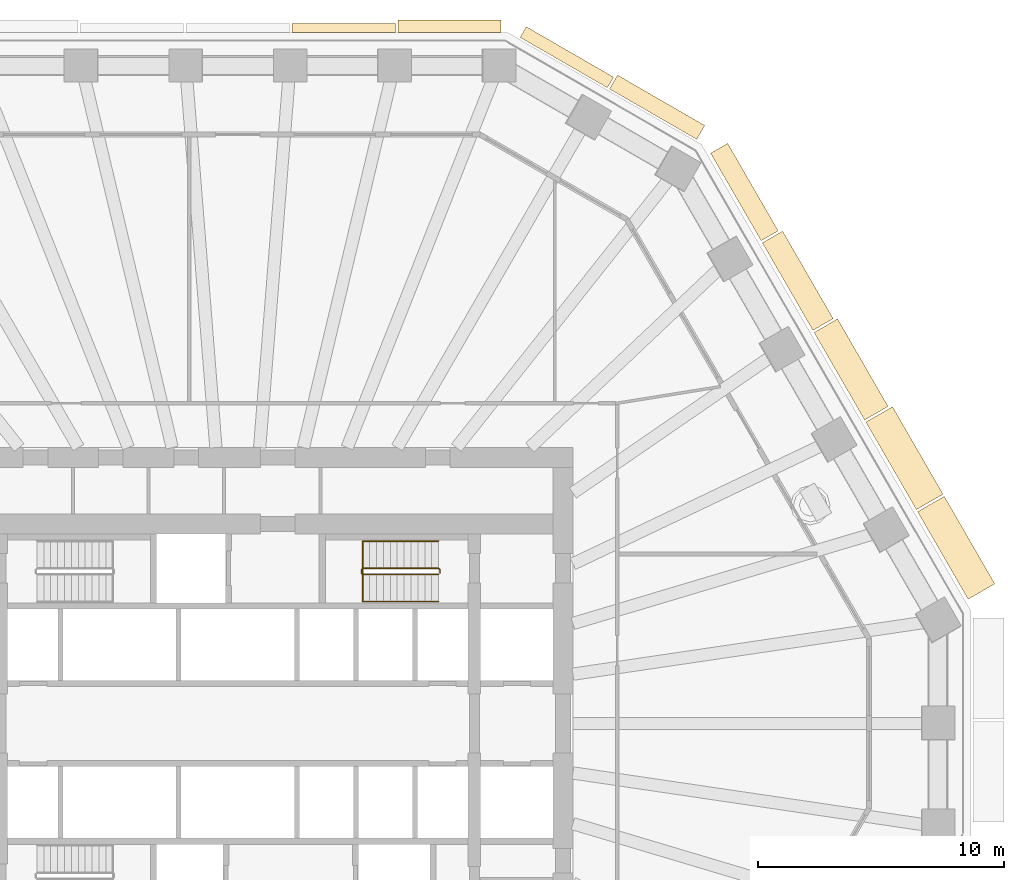
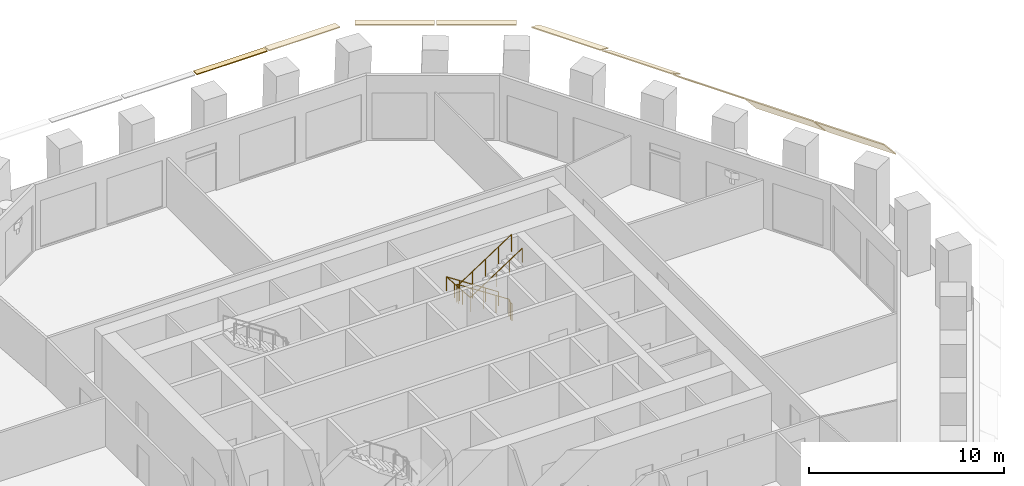
# One storey, part 10 of 12: 9 coverings, 2 railings.
"""IFC4 building model written with IfcOpenShell, lengths in metres."""

from ifc_helpers import new_model, si_unit, direction, frame, origin, origin_2d, place, context, subcontext, project, spatial, polyline, circle, outline, extrude, material, layer, layer_set, type_object, element, save


model = new_model("IFC4")

# Units and contexts
model_context = context("Model", 3, precision=1e-05, world=origin(), true_north=direction((0.0, 1.0)))
body_context = subcontext(model_context, "Body", "Model", "MODEL_VIEW")
ifc_project = project(units=[si_unit("LENGTHUNIT", "METRE"), si_unit("AREAUNIT", "SQUARE_METRE"), si_unit("VOLUMEUNIT", "CUBIC_METRE"), si_unit("PLANEANGLEUNIT", "RADIAN"), si_unit("MASSUNIT", "GRAM", prefix="KILO")], contexts=[model_context])

# Site, building, storey
site_placement = place(None, origin())
site = spatial("IfcSite", under=ifc_project, at=site_placement, CompositionType="ELEMENT")
building_placement = place(site_placement, origin())
building = spatial("IfcBuilding", under=site, at=building_placement, Name="Frailejon Research Tower", CompositionType="ELEMENT")
storey_placement = place(building_placement, frame((0.0, 0.0, 80.800048828125)))
storey = spatial("IfcBuildingStorey", under=building, at=storey_placement, Name="L17", CompositionType="ELEMENT", Elevation=80.800048828125)

# Coverings
ifc_material_1 = material(Name="Precast concrete C50/60", Category="concrete")
ifc_layer_1 = layer(ifc_material_1, 0.06005859375)
ifc_layer_set_1 = layer_set([ifc_layer_1], Name="Brim blade depth 1100")
covering_type_1 = type_object("IfcCoveringType", Name="Brim blade depth 1100", PredefinedType="CLADDING", material=ifc_layer_set_1)
covering_1_placement = place(storey_placement, frame((23.38671875, 15.869384765625, 4.25), z_axis=(0.500000690179, -0.866025005309, 0.0), x_axis=(0.866025005309, 0.500000690179, 0.0)))
element("IfcCovering", 1, at=covering_1_placement, inside=storey, type_object=covering_type_1, Name="Brim blade L17", PredefinedType="CLADDING", context=body_context, shape_type="SweptSolid", body=[
    extrude(outline(polyline([(0.0, -0.078369140625), (1.10009765625, -1.001220703125), (1.10009765625, -0.923095703125), (0.0, 0.0), (0.0, -0.078369140625)])), origin(), (0.0, 0.0, 1.0), 4.10009765625),
])
ifc_material_2 = material(Name="Precast concrete C50/60", Category="concrete")
ifc_layer_2 = layer(ifc_material_2, 0.06005859375)
ifc_layer_set_2 = layer_set([ifc_layer_2], Name="Brim blade depth 1250")
covering_type_2 = type_object("IfcCoveringType", Name="Brim blade depth 1250", PredefinedType="CLADDING", material=ifc_layer_set_2)
for number, where, z_axis, x_axis, name in (
    (2, (27.586669921875, 8.594970703125, 4.25), (0.499990381106, -0.866030957184, 0.0), (0.866030957184, 0.499990381106, 0.0), "Brim blade L17"),
    (3, (25.48681640625, 12.232177734375, 4.25), (0.500000690179, -0.866025005309, 0.0), (0.866025005309, 0.500000690179, 0.0), "Brim blade L17"),
):
    element("IfcCovering", number, at=place(storey_placement, frame(where, z_axis=z_axis, x_axis=x_axis)), inside=storey, type_object=covering_type_2, Name=name, PredefinedType="CLADDING", context=body_context, shape_type="SweptSolid", body=[
        extrude(outline(polyline([(0.0, -0.0888671875), (1.25, -1.452880859375), (1.25, -1.364013671875), (0.0, 0.0), (0.0, -0.0888671875)])), origin(), (0.0, 0.0, 1.0), 4.10009765625),
    ])
ifc_material_3 = material(Name="Precast concrete C50/60", Category="concrete")
ifc_layer_3 = layer(ifc_material_3, 0.06005859375)
ifc_layer_set_3 = layer_set([ifc_layer_3], Name="Brim blade depth 350")
covering_type_3 = type_object("IfcCoveringType", Name="Brim blade depth 350", PredefinedType="CLADDING", material=ifc_layer_set_3)
covering_2_placement = place(storey_placement, frame((2.197998046875, 28.050048828125, 4.25), z_axis=(1.0, 0.0, 0.0), x_axis=(0.0, 1.0, 0.0)))
element("IfcCovering", 4, at=covering_2_placement, inside=storey, type_object=covering_type_3, Name="Brim blade L17", PredefinedType="CLADDING", context=body_context, shape_type="SweptSolid", body=[
    extrude(outline(polyline([(0.0, -0.06005859375), (0.35009765625, -0.06005859375), (0.35009765625, 0.0), (0.0, 0.0), (0.0, -0.06005859375)])), origin(), (0.0, 0.0, 1.0), 4.19580078125),
])
ifc_material_4 = material(Name="Precast concrete C50/60", Category="concrete")
ifc_layer_4 = layer(ifc_material_4, 0.06005859375)
ifc_layer_set_4 = layer_set([ifc_layer_4], Name="Brim blade depth 500")
covering_type_4 = type_object("IfcCoveringType", Name="Brim blade depth 500", PredefinedType="CLADDING", material=ifc_layer_set_4)
covering_3_placement = place(storey_placement, frame((11.457763671875, 27.843994140625, 4.25), z_axis=(0.866027315287, -0.499996689166, 0.0), x_axis=(0.499996689166, 0.866027315287, 0.0)))
element("IfcCovering", 5, at=covering_3_placement, inside=storey, type_object=covering_type_4, Name="Brim blade L17", PredefinedType="CLADDING", context=body_context, shape_type="SweptSolid", body=[
    extrude(outline(polyline([(0.0, -0.060546875), (0.5, -0.130859375), (0.5, -0.0703125), (0.0, 0.0), (0.0, -0.060546875)])), origin(), (0.0, 0.0, 1.0), 4.087646484375),
])
covering_4_placement = place(storey_placement, frame((6.49365234375, 28.050048828125, 4.25), z_axis=(1.0, 0.0, 0.0), x_axis=(0.0, 1.0, 0.0)))
element("IfcCovering", 6, at=covering_4_placement, inside=storey, type_object=covering_type_4, Name="Brim blade L17", PredefinedType="CLADDING", context=body_context, shape_type="SweptSolid", body=[
    extrude(outline(polyline([(0.0, -0.060546875), (0.5, -0.130859375), (0.5, -0.0703125), (0.0, 0.0), (0.0, -0.060546875)])), origin(), (0.0, 0.0, 1.0), 4.19580078125),
])
ifc_material_5 = material(Name="Precast concrete C50/60", Category="concrete")
ifc_layer_5 = layer(ifc_material_5, 0.06005859375)
ifc_layer_set_5 = layer_set([ifc_layer_5], Name="Brim blade depth 650")
covering_type_5 = type_object("IfcCoveringType", Name="Brim blade depth 650", PredefinedType="CLADDING", material=ifc_layer_set_5)
covering_5_placement = place(storey_placement, frame((15.08447265625, 25.750244140625, 4.25), z_axis=(0.866021344981, -0.500007029989, 0.0), x_axis=(0.500007029989, 0.866021344981, 0.0)))
element("IfcCovering", 7, at=covering_5_placement, inside=storey, type_object=covering_type_5, Name="Brim blade L17", PredefinedType="CLADDING", context=body_context, shape_type="SweptSolid", body=[
    extrude(outline(polyline([(0.0, -0.0625), (0.64990234375, -0.248779296875), (0.64990234375, -0.186279296875), (0.0, 0.0), (0.0, -0.0625)])), origin(), (0.0, 0.0, 1.0), 4.08740234375),
])
ifc_material_6 = material(Name="Precast concrete C50/60", Category="concrete")
ifc_layer_6 = layer(ifc_material_6, 0.06005859375)
ifc_layer_set_6 = layer_set([ifc_layer_6], Name="Brim blade depth 800")
covering_type_6 = type_object("IfcCoveringType", Name="Brim blade depth 800", PredefinedType="CLADDING", material=ifc_layer_set_6)
covering_6_placement = place(storey_placement, frame((19.186767578125, 23.14404296875, 4.25), z_axis=(0.500000690179, -0.866025005309, 0.0), x_axis=(0.866025005309, 0.500000690179, 0.0)))
element("IfcCovering", 8, at=covering_6_placement, inside=storey, type_object=covering_type_6, Name="Brim blade L17", PredefinedType="CLADDING", context=body_context, shape_type="SweptSolid", body=[
    extrude(outline(polyline([(0.0, -0.065673828125), (0.800048828125, -0.421875), (0.800048828125, -0.356201171875), (0.0, 0.0), (0.0, -0.065673828125)])), origin(), (0.0, 0.0, 1.0), 4.10009765625),
])
ifc_material_7 = material(Name="Precast concrete C50/60", Category="concrete")
ifc_layer_7 = layer(ifc_material_7, 0.06005859375)
ifc_layer_set_7 = layer_set([ifc_layer_7], Name="Brim blade depth 950")
covering_type_7 = type_object("IfcCoveringType", Name="Brim blade depth 950", PredefinedType="CLADDING", material=ifc_layer_set_7)
covering_7_placement = place(storey_placement, frame((21.28662109375, 19.5068359375, 4.25), z_axis=(0.500000690179, -0.866025005309, 0.0), x_axis=(0.866025005309, 0.500000690179, 0.0)))
element("IfcCovering", 9, at=covering_7_placement, inside=storey, type_object=covering_type_7, Name="Brim blade L17", PredefinedType="CLADDING", context=body_context, shape_type="SweptSolid", body=[
    extrude(outline(polyline([(0.0, -0.07080078125), (0.949951171875, -0.664306640625), (0.949951171875, -0.593505859375), (0.0, 0.0), (0.0, -0.07080078125)])), origin(), (0.0, 0.0, 1.0), 4.10009765625),
])

# Railings
ifc_material_8 = material(Name="Stainless steel", Category="steel")
railing_type_1 = type_object("IfcRailingType", Name="Stair guard 1100", PredefinedType="GUARDRAIL", material=ifc_material_8)
railing_1_placement = place(storey_placement, frame((8.199951171875, 6.10009765625, 0.0)))
element("IfcRailing", 10, at=railing_1_placement, inside=storey, type_object=railing_type_1, Name="L17 ST3 stair guard 1", PredefinedType="GUARDRAIL", context=body_context, shape_type="SweptSolid", body=[
    extrude(circle(Radius=0.02392578125, at=origin_2d()), frame((0.0, 0.0, 1.076171875), z_axis=(0.0, 1.0, 0.0), x_axis=(-1.0, 0.0, 0.0)), (0.0, 0.0, 1.0), 0.14990234375),
    extrude(circle(Radius=0.02392578125, at=origin_2d()), frame((0.0, 0.14990234375, 1.076171875), z_axis=(-0.254653276557, 0.254653276557, 0.932900539971), x_axis=(-0.707106781187, -0.707106781187, 0.0)), (0.0, 0.0, 1.0), 0.196533203125),
    extrude(circle(Radius=0.02392578125, at=origin_2d()), frame((-0.050048828125, 0.199951171875, 1.25927734375), z_axis=(-0.836613101238, 0.0, 0.547794230379), x_axis=(0.0, -1.0, 0.0)), (0.0, 0.0, 1.0), 3.681396484375),
    extrude(circle(Radius=0.02392578125, at=origin_2d()), frame((-3.1298828125, 0.199951171875, 3.27587890625), z_axis=(-0.707106781187, -0.707106781187, 0.0), x_axis=(0.707106781187, -0.707106781187, 0.0)), (0.0, 0.0, 1.0), 0.07080078125),
    extrude(circle(Radius=0.02392578125, at=origin_2d()), frame((-3.179931640625, 0.14990234375, 3.27587890625), z_axis=(0.0, -1.0, 0.0), x_axis=(1.0, 0.0, 0.0)), (0.0, 0.0, 1.0), 0.14990234375),
    extrude(circle(Radius=0.02392578125, at=origin_2d()), frame((-3.179931640625, 0.0, 3.27587890625), z_axis=(0.254653276557, -0.254653276557, 0.932900539971), x_axis=(0.707106781187, 0.707106781187, 0.0)), (0.0, 0.0, 1.0), 0.196533203125),
    extrude(circle(Radius=0.02392578125, at=origin_2d()), frame((-3.1298828125, -0.050048828125, 3.45947265625), z_axis=(0.836613101238, 0.0, 0.547794230379), x_axis=(0.0, 1.0, 0.0)), (0.0, 0.0, 1.0), 3.681396484375),
    extrude(circle(Radius=0.02099609375, at=origin_2d()), origin(), (0.0, 0.0, 1.0), 1.052001953125),
    extrude(circle(Radius=0.02099609375, at=origin_2d()), frame((0.0, 0.14990234375, 0.0)), (0.0, 0.0, 1.0), 1.052001953125),
    extrude(circle(Radius=0.02099609375, at=origin_2d()), frame((-0.050048828125, 0.199951171875, 0.183349609375)), (0.0, 0.0, 1.0), 1.052001953125),
    extrude(circle(Radius=0.02099609375, at=origin_2d()), frame((-0.820068359375, 0.199951171875, 0.6875)), (0.0, 0.0, 1.0), 1.052001953125),
    extrude(circle(Radius=0.02099609375, at=origin_2d()), frame((-1.58984375, 0.199951171875, 1.191650390625)), (0.0, 0.0, 1.0), 1.052001953125),
    extrude(circle(Radius=0.02099609375, at=origin_2d()), frame((-2.35986328125, 0.199951171875, 1.69580078125)), (0.0, 0.0, 1.0), 1.052001953125),
    extrude(circle(Radius=0.02099609375, at=origin_2d()), frame((-3.1298828125, 0.199951171875, 2.199951171875)), (0.0, 0.0, 1.0), 1.052001953125),
    extrude(circle(Radius=0.02099609375, at=origin_2d()), frame((-3.179931640625, 0.14990234375, 2.199951171875)), (0.0, 0.0, 1.0), 1.052001953125),
    extrude(circle(Radius=0.02099609375, at=origin_2d()), frame((-3.179931640625, 0.0, 2.199951171875)), (0.0, 0.0, 1.0), 1.052001953125),
    extrude(circle(Radius=0.02099609375, at=origin_2d()), frame((-3.1298828125, -0.050048828125, 2.38330078125)), (0.0, 0.0, 1.0), 1.052001953125),
    extrude(circle(Radius=0.02099609375, at=origin_2d()), frame((-2.35986328125, -0.050048828125, 2.887451171875)), (0.0, 0.0, 1.0), 1.052001953125),
    extrude(circle(Radius=0.02099609375, at=origin_2d()), frame((-1.58984375, -0.050048828125, 3.3916015625)), (0.0, 0.0, 1.0), 1.052001953125),
    extrude(circle(Radius=0.02099609375, at=origin_2d()), frame((-0.820068359375, -0.050048828125, 3.895751953125)), (0.0, 0.0, 1.0), 1.052001953125),
    extrude(circle(Radius=0.02099609375, at=origin_2d()), frame((-0.050048828125, -0.050048828125, 4.39990234375)), (0.0, 0.0, 1.0), 1.052001953125),
])
ifc_material_9 = material(Name="Stainless steel", Category="steel")
railing_type_2 = type_object("IfcRailingType", Name="Stair handrail 900", PredefinedType="HANDRAIL", material=ifc_material_9)
railing_2_placement = place(storey_placement, frame((8.14990234375, 7.39990234375, 0.183349609375)))
element("IfcRailing", 11, at=railing_2_placement, inside=storey, type_object=railing_type_2, Name="L17 ST3 stair handrail 1", PredefinedType="HANDRAIL", context=body_context, shape_type="SweptSolid", body=[
    extrude(circle(Radius=0.02392578125, at=origin_2d()), frame((0.0, 0.0, 0.8759765625), z_axis=(-0.836613101238, 0.0, 0.547794230379), x_axis=(0.0, -1.0, 0.0)), (0.0, 0.0, 1.0), 3.681396484375),
    extrude(circle(Radius=0.02392578125, at=origin_2d()), frame((-3.079833984375, 0.0, 2.892578125), z_axis=(0.0, -0.99721134034, 0.074629368868), x_axis=(1.0, 0.0, 0.0)), (0.0, 0.0, 1.0), 2.456787109375),
    extrude(circle(Radius=0.02392578125, at=origin_2d()), frame((-3.079833984375, -2.449951171875, 3.07568359375), z_axis=(0.836613101238, 0.0, 0.547794230379), x_axis=(0.0, 1.0, 0.0)), (0.0, 0.0, 1.0), 3.681396484375),
    extrude(circle(Radius=0.02099609375, at=origin_2d()), origin(), (0.0, 0.0, 1.0), 0.851806640625),
    extrude(circle(Radius=0.02099609375, at=origin_2d()), frame((-0.77001953125, 0.0, 0.504150390625)), (0.0, 0.0, 1.0), 0.851806640625),
    extrude(circle(Radius=0.02099609375, at=origin_2d()), frame((-1.5400390625, 0.0, 1.00830078125)), (0.0, 0.0, 1.0), 0.851806640625),
    extrude(circle(Radius=0.02099609375, at=origin_2d()), frame((-2.309814453125, 0.0, 1.512451171875)), (0.0, 0.0, 1.0), 0.851806640625),
    extrude(circle(Radius=0.02099609375, at=origin_2d()), frame((-3.079833984375, 0.0, 2.0166015625)), (0.0, 0.0, 1.0), 0.851806640625),
    extrude(circle(Radius=0.02099609375, at=origin_2d()), frame((-3.079833984375, -0.816650390625, 2.07763671875)), (0.0, 0.0, 1.0), 0.851806640625),
    extrude(circle(Radius=0.02099609375, at=origin_2d()), frame((-3.079833984375, -1.63330078125, 2.138916015625)), (0.0, 0.0, 1.0), 0.851806640625),
    extrude(circle(Radius=0.02099609375, at=origin_2d()), frame((-3.079833984375, -2.449951171875, 2.199951171875)), (0.0, 0.0, 1.0), 0.851806640625),
    extrude(circle(Radius=0.02099609375, at=origin_2d()), frame((-2.309814453125, -2.449951171875, 2.7041015625)), (0.0, 0.0, 1.0), 0.851806640625),
    extrude(circle(Radius=0.02099609375, at=origin_2d()), frame((-1.5400390625, -2.449951171875, 3.208251953125)), (0.0, 0.0, 1.0), 0.851806640625),
    extrude(circle(Radius=0.02099609375, at=origin_2d()), frame((-0.77001953125, -2.449951171875, 3.71240234375)), (0.0, 0.0, 1.0), 0.851806640625),
    extrude(circle(Radius=0.02099609375, at=origin_2d()), frame((0.0, -2.449951171875, 4.216552734375)), (0.0, 0.0, 1.0), 0.851806640625),
])

save(model, "model.ifc")
